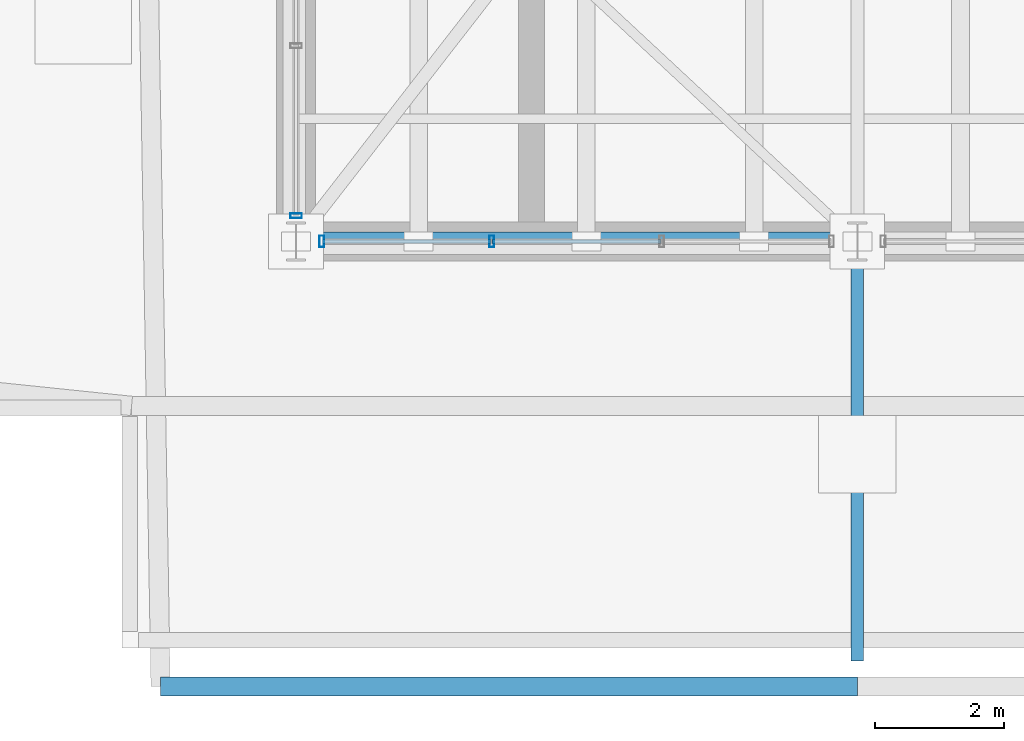
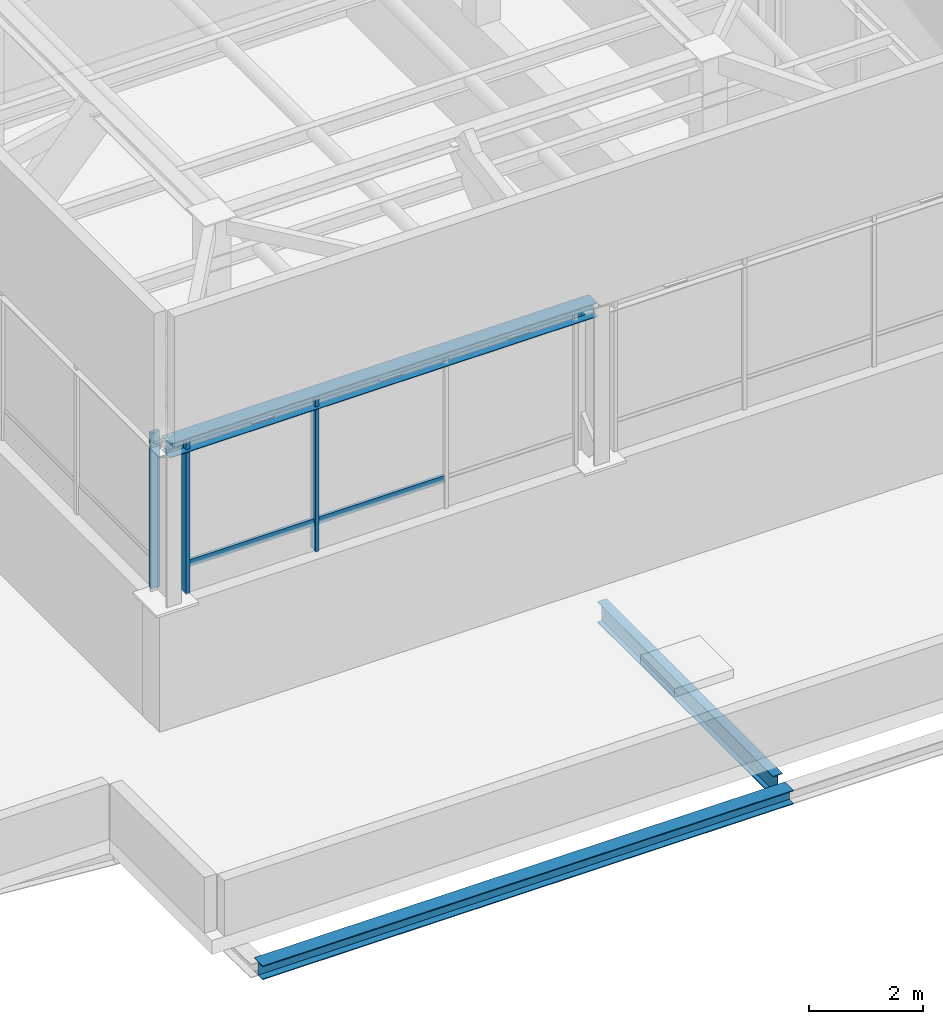
# One storey, part 2 of 22: 5 members, 3 beams, 2 elements without a shape of their own.
"""IFC4 building model written with IfcOpenShell, lengths in metres."""

import ifcopenshell
import ifcopenshell.guid

model = None  # the IFC model being written
_history = None  # IfcOwnerHistory: only IFC2X3 demands one
_inside = {}  # id of a spatial element -> (the spatial element, [elements in it])
_under = {}  # id of a project, library or spatial element -> (it, [spatial elements below it])
_declared = {}  # id of a project -> (the project, [libraries it declares])
_typed = {}  # id of a type object -> (the type object, [elements of that type])
_made_of = {}  # id of a material, layer set ... -> (it, [elements and type objects made of it])


def new_model(schema):
    """Start an empty IFC model of exactly this schema.

    Asked for "IFC4X3", IfcOpenShell would pick the latest addendum, in which some entities
    have other attributes; the version numbers below select the first issue.
    IFC2X3 requires an IfcOwnerHistory on every rooted entity: one is made here for all.
    """
    global model, _history
    if schema == "IFC4X3":
        model = ifcopenshell.file(schema_version=(4, 3, 0, 0))
    else:
        model = ifcopenshell.file(schema=schema)
    _inside.clear()
    _under.clear()
    _declared.clear()
    _typed.clear()
    _made_of.clear()
    _history = None
    if model.schema == "IFC2X3":
        org = make("IfcOrganization", Name="unknown")
        user = make(
            "IfcPersonAndOrganization",
            ThePerson=make("IfcPerson", FamilyName="unknown"),
            TheOrganization=org,
        )
        app = make(
            "IfcApplication",
            ApplicationDeveloper=org,
            Version="unknown",
            ApplicationFullName="unknown",
            ApplicationIdentifier="unknown",
        )
        _history = make(
            "IfcOwnerHistory",
            OwningUser=user,
            OwningApplication=app,
            ChangeAction="ADDED",
            CreationDate=0,
        )
    return model


def make(cls, **values):
    """One entity of the class cls with the attributes given. An attribute that is None is left unset."""
    return model.create_entity(
        cls, **{name: value for name, value in values.items() if value is not None}
    )


def rooted(cls, **values):
    """An entity with a GlobalId (a new one), such as an element, a storey or a relation."""
    return make(cls, GlobalId=ifcopenshell.guid.new(), OwnerHistory=_history, **values)


def si_unit(unit_type, name, prefix=None):
    """IfcSIUnit, for example si_unit("LENGTHUNIT", "METRE", prefix="MILLI")."""
    return make("IfcSIUnit", UnitType=unit_type, Prefix=prefix, Name=name)


def assignment(units):
    """IfcUnitAssignment: the units of a project."""
    return None if units is None else make("IfcUnitAssignment", Units=units)


def point(xyz):
    """IfcCartesianPoint."""
    return None if xyz is None else make("IfcCartesianPoint", Coordinates=xyz)


def direction(xyz):
    """IfcDirection."""
    return None if xyz is None else make("IfcDirection", DirectionRatios=xyz)


def frame(location, z_axis=None, x_axis=None):
    """IfcAxis2Placement3D, a coordinate frame: its origin and axes. An axis left out is left unset."""
    return make(
        "IfcAxis2Placement3D",
        Location=point(location),
        Axis=direction(z_axis),
        RefDirection=direction(x_axis),
    )


def frame_2d(location, x_axis=None):
    """IfcAxis2Placement2D, a coordinate frame in the plane: its origin and x axis."""
    return make(
        "IfcAxis2Placement2D", Location=point(location), RefDirection=direction(x_axis)
    )


def origin():
    """The frame at (0, 0, 0) with its axes left unset."""
    return frame((0.0, 0.0, 0.0))


def origin_2d():
    """The frame at (0, 0) in the plane with its x axis left unset."""
    return frame_2d((0.0, 0.0))


def place(relative_to, where):
    """IfcLocalPlacement: puts the frame where relative to a parent placement (None: the world)."""
    return make(
        "IfcLocalPlacement", PlacementRelTo=relative_to, RelativePlacement=where
    )


def context(
    kind, dimensions, precision=None, world=None, true_north=None, identifier=None
):
    """IfcGeometricRepresentationContext, for example the 3D "Model" context."""
    return make(
        "IfcGeometricRepresentationContext",
        ContextIdentifier=identifier,
        ContextType=kind,
        CoordinateSpaceDimension=dimensions,
        Precision=precision,
        WorldCoordinateSystem=world,
        TrueNorth=true_north,
    )


def subcontext(parent, identifier, kind, view, scale=None):
    """IfcGeometricRepresentationSubContext, for example "Body" below "Model"."""
    return make(
        "IfcGeometricRepresentationSubContext",
        ContextIdentifier=identifier,
        ContextType=kind,
        ParentContext=parent,
        TargetScale=scale,
        TargetView=view,
    )


def project(units=None, contexts=None):
    """IfcProject with its units and contexts."""
    return rooted(
        "IfcProject",
        Name="project",
        RepresentationContexts=contexts,
        UnitsInContext=assignment(units),
    )


def spatial(cls, under=None, at=None, **own):
    """A site, building, storey or space (cls), placed at a placement, below another one or the project."""
    s = rooted(cls, ObjectPlacement=at, **own)
    if under is not None:
        _under.setdefault(under.id(), (under, []))[1].append(s)
    return s


def profile(cls, at=None, kind="AREA", **sizes):
    """A parametric profile (cls). Its sizes go by their IFC names, for example OverallWidth=200.0."""
    return make(cls, ProfileType=kind, Position=at, **sizes)


def hollow_rectangle(**sizes):
    """IfcRectangleHollowProfileDef."""
    return profile("IfcRectangleHollowProfileDef", **sizes)


def i_section(**sizes):
    """IfcIShapeProfileDef."""
    return profile("IfcIShapeProfileDef", **sizes)


def extrude(swept, where, along, depth):
    """IfcExtrudedAreaSolid: the profile swept, set in the frame where, extruded along a direction by depth."""
    return make(
        "IfcExtrudedAreaSolid",
        SweptArea=swept,
        Position=where,
        ExtrudedDirection=direction(along),
        Depth=depth,
    )


def shape(context_of_items, identifier, shape_type, items):
    """IfcShapeRepresentation: the items that make up one representation, for example the "Body"."""
    return make(
        "IfcShapeRepresentation",
        ContextOfItems=context_of_items,
        RepresentationIdentifier=identifier,
        RepresentationType=shape_type,
        Items=items,
    )


def material(Name=None, Category=None):
    """IfcMaterial."""
    return make("IfcMaterial", Name=Name, Category=Category)


def layer(
    of_material, thickness, ventilated=None, Name=None, Category=None, Priority=None
):
    """IfcMaterialLayer: one layer of a wall or slab, of a material (None: an air gap)."""
    return make(
        "IfcMaterialLayer",
        Material=of_material,
        LayerThickness=thickness,
        IsVentilated=ventilated,
        Name=Name,
        Category=Category,
        Priority=Priority,
    )


def layer_set(layers, Name=None):
    """IfcMaterialLayerSet."""
    return make("IfcMaterialLayerSet", MaterialLayers=layers, LayerSetName=Name)


def material_profile(
    of_material, cross_section, Name=None, Category=None, Priority=None
):
    """IfcMaterialProfile: a cross section and its material."""
    return make(
        "IfcMaterialProfile",
        Name=Name,
        Material=of_material,
        Profile=cross_section,
        Priority=Priority,
        Category=Category,
    )


def profile_set(profiles, Name=None, composite=None):
    """IfcMaterialProfileSet."""
    return make(
        "IfcMaterialProfileSet",
        Name=Name,
        MaterialProfiles=profiles,
        CompositeProfile=composite,
    )


def made_of(thing, what):
    """Note that an element or type object is made of a material, layer set ...; save() writes the relation."""
    if what is not None:
        _made_of.setdefault(what.id(), (what, []))[1].append(thing)
    return thing


def type_object(cls, material=None, **own):
    """A type object (cls), such as IfcWallType, which elements share."""
    return made_of(rooted(cls, **own), material)


def element(
    cls,
    number,
    at=None,
    inside=None,
    cuts=None,
    type_object=None,
    material=None,
    context=None,
    identifier="Body",
    shape_type=None,
    held_by="IfcProductDefinitionShape",
    body=None,
    shapes=None,
    **own,
):
    """One element of the class cls, such as IfcWall. Its Tag is "e" and its number.

    at: its placement. inside: the storey or other place that contains it. cuts: it is an
    opening in that element (IfcRelVoidsElement). A single representation is given by context,
    identifier, shape_type and body (its items); several are given by shapes. held_by: the class
    of the entity that holds the representations. save() writes the other relations.
    """
    e = rooted(cls, Tag="e%d" % number, ObjectPlacement=at, **own)
    if body is not None:
        shapes = [shape(context, identifier, shape_type, body)]
    if shapes is not None:
        e.Representation = make(held_by, Representations=shapes)
    if inside is not None:
        _inside.setdefault(inside.id(), (inside, []))[1].append(e)
    if cuts is not None:
        rooted(
            "IfcRelVoidsElement", RelatingBuildingElement=cuts, RelatedOpeningElement=e
        )
    if type_object is not None:
        _typed.setdefault(type_object.id(), (type_object, []))[1].append(e)
    return made_of(e, material)


def aggregate(whole, parts):
    """IfcRelAggregates: a whole, such as a stair, and the parts it consists of."""
    return rooted("IfcRelAggregates", RelatingObject=whole, RelatedObjects=parts)


def save(model, path):
    """Write the relations noted so far, then the file.

    IfcRelAggregates (storeys below a building ...), IfcRelContainedInSpatialStructure (elements
    in a storey), IfcRelDefinesByType, IfcRelAssociatesMaterial and IfcRelDeclares: one each for
    every whole, place, type object, material and project.
    """
    for whole, parts in _under.values():
        aggregate(whole, parts)
    for where, things in _inside.values():
        rooted(
            "IfcRelContainedInSpatialStructure",
            RelatedElements=things,
            RelatingStructure=where,
        )
    for kind, things in _typed.values():
        rooted("IfcRelDefinesByType", RelatedObjects=things, RelatingType=kind)
    for what, things in _made_of.values():
        rooted("IfcRelAssociatesMaterial", RelatedObjects=things, RelatingMaterial=what)
    for by, libraries in _declared.values():
        rooted("IfcRelDeclares", RelatingContext=by, RelatedDefinitions=libraries)
    model.write(path)


model = new_model("IFC4")

# Units and contexts
model_context = context("Model", 3, precision=1e-05, world=origin(), true_north=direction((0.0, 1.0)))
body_context = subcontext(model_context, "Body", "Model", "MODEL_VIEW")
ifc_project = project(units=[si_unit("LENGTHUNIT", "METRE"), si_unit("AREAUNIT", "SQUARE_METRE"), si_unit("VOLUMEUNIT", "CUBIC_METRE"), si_unit("PLANEANGLEUNIT", "RADIAN"), si_unit("MASSUNIT", "GRAM", prefix="KILO")], contexts=[model_context])

# Site, building, storey
site_placement = place(None, origin())
site = spatial("IfcSite", under=ifc_project, at=site_placement, CompositionType="ELEMENT")
building_placement = place(site_placement, origin())
building = spatial("IfcBuilding", under=site, at=building_placement, Name="Belovzor Exchange Tower", CompositionType="ELEMENT")
storey_placement = place(building_placement, frame((0.0, 0.0, 378.60009765625)))
storey = spatial("IfcBuildingStorey", under=building, at=storey_placement, Name="RF", CompositionType="ELEMENT", Elevation=378.60009765625)

# Beams
ifc_material_1 = material(Name="Steel S355", Category="steel")
ifc_material_profile_1 = material_profile(ifc_material_1, i_section(OverallWidth=0.300048828125, OverallDepth=0.300048828125, WebThickness=0.010986328125, FlangeThickness=0.01904296875, at=origin_2d()))
ifc_profile_set_1 = profile_set([ifc_material_profile_1], Name="Steel S355")
beam_type_1 = type_object("IfcBeamType", Name="Crown Plant Primary Beam HEB 300", PredefinedType="BEAM", material=ifc_profile_set_1)
beam_1_placement = place(storey_placement, frame((18.0, 13.199951171875, -0.4501953125), z_axis=(1.0, 0.0, 0.0), x_axis=(0.0, 1.0, 0.0)))
element("IfcBeam", 1, at=beam_1_placement, inside=storey, type_object=beam_type_1, Name="FG-CR Crown Plant Primary Beam HEB 300", PredefinedType="BEAM", context=body_context, shape_type="SweptSolid", body=[
    extrude(i_section(OverallWidth=0.300048828125, OverallDepth=0.300048828125, WebThickness=0.010986328125, FlangeThickness=0.01904296875, at=origin_2d()), origin(), (0.0, 0.0, 1.0), 10.800048828125),
])
ifc_material_2 = material(Name="Steel S355", Category="steel")
ifc_material_profile_2 = material_profile(ifc_material_2, i_section(OverallWidth=0.300048828125, OverallDepth=0.300048828125, WebThickness=0.008544921875, FlangeThickness=0.013916015625, at=origin_2d()))
ifc_profile_set_2 = profile_set([ifc_material_profile_2], Name="Steel S355")
beam_type_2 = type_object("IfcBeamType", Name="Crown Ring & Trim Beam HEA 300", PredefinedType="BEAM", material=ifc_profile_set_2)
beam_2_placement = place(storey_placement, frame((20.10009765625, 20.10009765625, 5.849853515625), z_axis=(1.0, 0.0, 0.0), x_axis=(0.0, 1.0, 0.0)))
element("IfcBeam", 2, at=beam_2_placement, inside=storey, type_object=beam_type_2, Name="CB-CR Crown Ring & Trim Beam HEA 300", PredefinedType="BEAM", context=body_context, shape_type="SweptSolid", body=[
    extrude(i_section(OverallWidth=0.300048828125, OverallDepth=0.300048828125, WebThickness=0.008544921875, FlangeThickness=0.013916015625, at=origin_2d()), origin(), (0.0, 0.0, 1.0), 8.699951171875),
])

# Curtain wall, members
ifc_material_3 = material(Name="Anodised Aluminium Framing", Category="aluminium")
ifc_layer = layer(ifc_material_3, 0.169921875)
ifc_layer_set = layer_set([ifc_layer], Name="Anodised Aluminium Framing")
curtain_wall_type = type_object("IfcCurtainWallType", Name="Stepped Crown Faceted Lantern Curtain Wall", PredefinedType="NOTDEFINED", material=ifc_layer_set)
curtain_wall_1_placement = place(storey_placement, origin())
curtain_wall_1 = element("IfcCurtainWall", 3, at=curtain_wall_1_placement, inside=storey, type_object=curtain_wall_type, Name="CW6 Stepped Crown Faceted Lantern Curtain Wall RF", PredefinedType="NOTDEFINED")
ifc_material_4 = material(Name="Steel S355", Category="steel")
ifc_material_profile_3 = material_profile(ifc_material_4, hollow_rectangle(XDim=0.074951171875, YDim=0.179931640625, WallThickness=0.0048828125, at=origin_2d()))
ifc_profile_set_3 = profile_set([ifc_material_profile_3], Name="Steel S355")
member_type_1 = type_object("IfcMemberType", Name="Thermally Broken Curtain Wall Mullion 180x75", PredefinedType="MULLION", material=ifc_profile_set_3)
member_1_placement = place(storey_placement, frame((23.133056640625, 20.10009765625, 2.599853515625), z_axis=(0.0, 0.0, 1.0), x_axis=(-1.0, 0.0, 0.0)))
member_1 = element("IfcMember", 4, at=member_1_placement, type_object=member_type_1, Name="CW-M180 Curtain Wall Mullion 3", PredefinedType="MULLION", context=body_context, shape_type="SweptSolid", body=[
    extrude(hollow_rectangle(XDim=0.074951171875, YDim=0.179931640625, WallThickness=0.0048828125, at=origin_2d()), origin(), (0.0, 0.0, 1.0), 3.35009765625),
])
member_2_placement = place(storey_placement, frame((20.5, 20.10009765625, 2.599853515625), z_axis=(0.0, 0.0, 1.0), x_axis=(-1.0, 0.0, 0.0)))
member_2 = element("IfcMember", 5, at=member_2_placement, type_object=member_type_1, Name="CW-M180 Curtain Wall Mullion 4", PredefinedType="MULLION", context=body_context, shape_type="SweptSolid", body=[
    extrude(hollow_rectangle(XDim=0.074951171875, YDim=0.179931640625, WallThickness=0.0048828125, at=origin_2d()), origin(), (0.0, 0.0, 1.0), 3.35009765625),
])

# Curtain wall, member
curtain_wall_2_placement = place(storey_placement, origin())
curtain_wall_2 = element("IfcCurtainWall", 6, at=curtain_wall_2_placement, inside=storey, type_object=curtain_wall_type, Name="CW6 Stepped Crown Faceted Lantern Curtain Wall RF", PredefinedType="NOTDEFINED")
member_3_placement = place(storey_placement, frame((20.10009765625, 20.5, 2.599853515625), z_axis=(0.0, 0.0, 1.0), x_axis=(0.0, 1.0, 0.0)))
member_3 = element("IfcMember", 7, at=member_3_placement, type_object=member_type_1, Name="CW-M180 Curtain Wall Mullion 1", PredefinedType="MULLION", context=body_context, shape_type="SweptSolid", body=[
    extrude(hollow_rectangle(XDim=0.074951171875, YDim=0.179931640625, WallThickness=0.0048828125, at=origin_2d()), origin(), (0.0, 0.0, 1.0), 3.35009765625),
])
aggregate(curtain_wall_2, [member_3])

# Member
ifc_material_5 = material(Name="Steel S355", Category="steel")
ifc_material_profile_4 = material_profile(ifc_material_5, hollow_rectangle(XDim=0.06005859375, YDim=0.14990234375, WallThickness=0.00390625, at=origin_2d()))
ifc_profile_set_4 = profile_set([ifc_material_profile_4], Name="Steel S355")
member_type_2 = type_object("IfcMemberType", Name="Thermally Broken Curtain Wall Transom 150x60", PredefinedType="USERDEFINED", material=ifc_profile_set_4)
member_4_placement = place(storey_placement, frame((25.759033203125, 20.10009765625, 3.202880859375), z_axis=(-1.0, 0.0, 0.0), x_axis=(0.0, -1.0, 0.0)))
member_4 = element("IfcMember", 8, at=member_4_placement, type_object=member_type_2, Name="CW-T150 Curtain Wall Transom 2", ObjectType="TRANSOM", PredefinedType="USERDEFINED", context=body_context, shape_type="SweptSolid", body=[
    extrude(hollow_rectangle(XDim=0.06005859375, YDim=0.14990234375, WallThickness=0.00390625, at=origin_2d()), origin(), (0.0, 0.0, 1.0), 2.617919921875),
])

member_5_placement = place(storey_placement, frame((23.125, 20.10009765625, 3.202880859375), z_axis=(-1.0, 0.0, 0.0), x_axis=(0.0, -1.0, 0.0)))
member_5 = element("IfcMember", 9, at=member_5_placement, type_object=member_type_2, Name="CW-T150 Curtain Wall Transom 3", ObjectType="TRANSOM", PredefinedType="USERDEFINED", context=body_context, shape_type="SweptSolid", body=[
    extrude(hollow_rectangle(XDim=0.06005859375, YDim=0.14990234375, WallThickness=0.00390625, at=origin_2d()), origin(), (0.0, 0.0, 1.0), 2.616943359375),
])

aggregate(curtain_wall_1, [member_1, member_2, member_4, member_5])

# Beam
ifc_material_6 = material(Name="Steel S355", Category="steel")
ifc_material_profile_5 = material_profile(ifc_material_6, i_section(OverallWidth=0.18994140625, OverallDepth=0.449951171875, WebThickness=0.009521484375, FlangeThickness=0.0146484375, at=origin_2d()))
ifc_profile_set_5 = profile_set([ifc_material_profile_5], Name="Steel S355")
beam_type_3 = type_object("IfcBeamType", Name="Zone 2-4 Radial Composite Floor Beam IPE 450", PredefinedType="BEAM", material=ifc_profile_set_5)
beam_3_placement = place(storey_placement, frame((28.800048828125, 19.800048828125, -0.525146484375), z_axis=(0.0, -1.0, 0.0), x_axis=(1.0, 0.0, 0.0)))
element("IfcBeam", 10, at=beam_3_placement, inside=storey, type_object=beam_type_3, Name="FB-450 Zone 2-4 Radial Composite Floor Beam IPE 450", PredefinedType="BEAM", context=body_context, shape_type="SweptSolid", body=[
    extrude(i_section(OverallWidth=0.18994140625, OverallDepth=0.449951171875, WebThickness=0.009521484375, FlangeThickness=0.0146484375, at=origin_2d()), origin(), (0.0, 0.0, 1.0), 6.199951171875),
])

save(model, "model.ifc")
